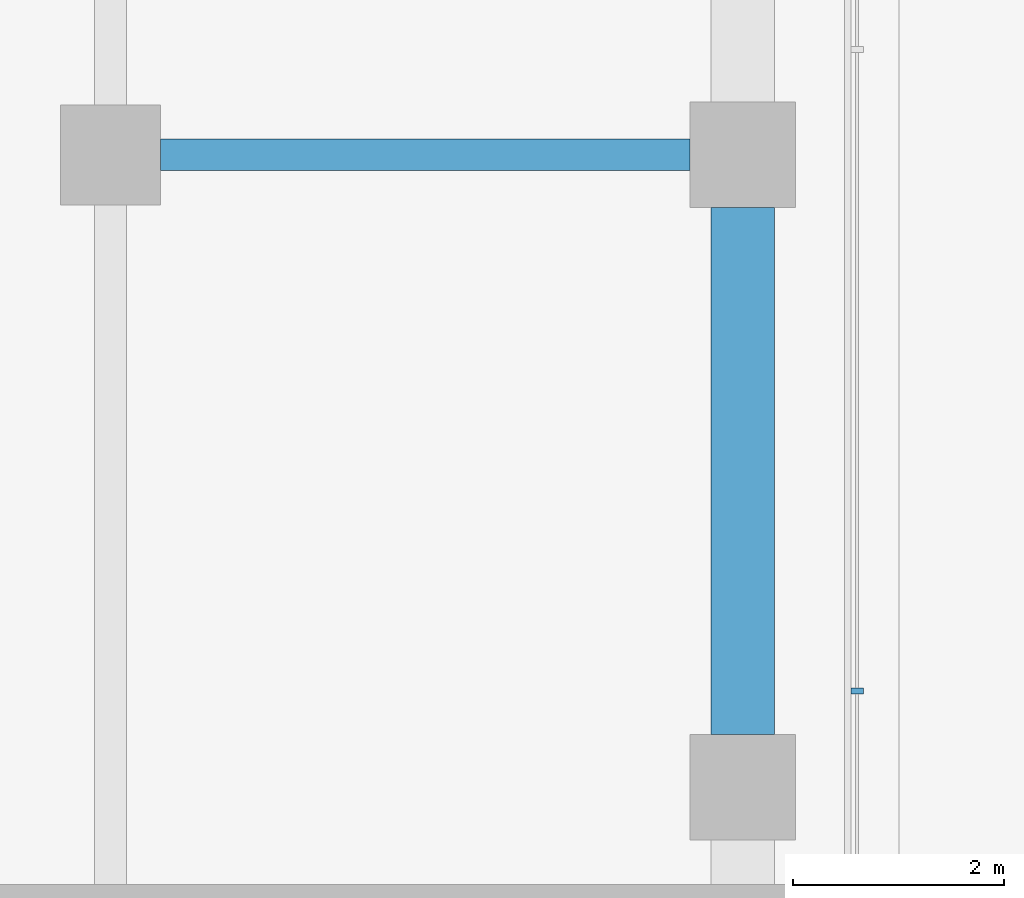
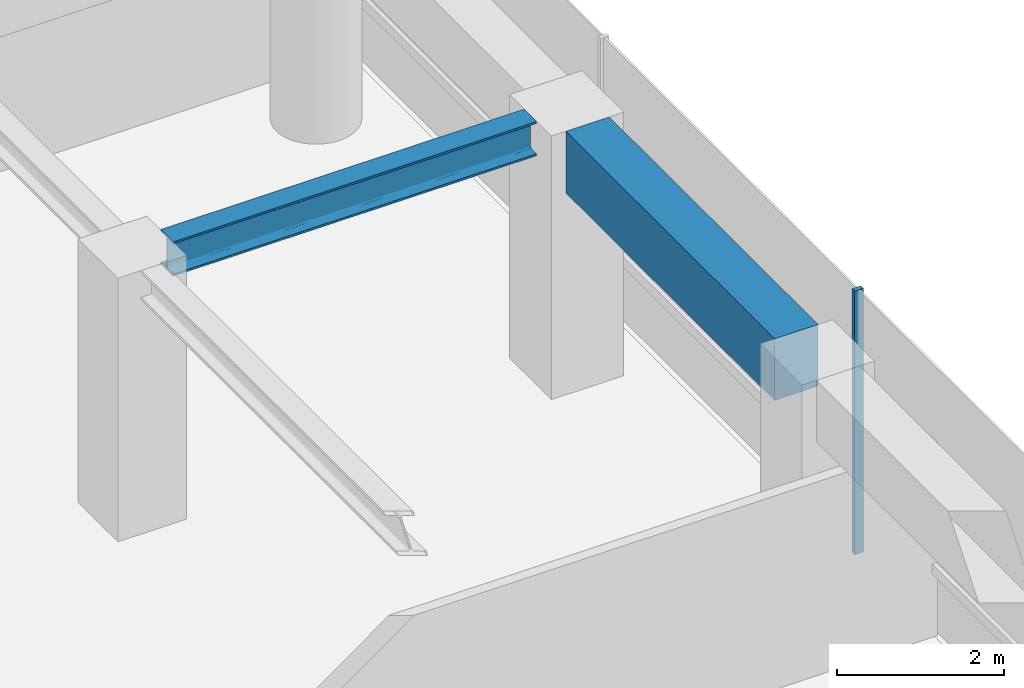
# One storey, part 17 of 28: 2 beams, 1 member, 1 element without a shape of its own.
"""IFC4 building model written with IfcOpenShell, lengths in metres."""

import ifcopenshell
import ifcopenshell.guid

model = None  # the IFC model being written
_history = None  # IfcOwnerHistory: only IFC2X3 demands one
_inside = {}  # id of a spatial element -> (the spatial element, [elements in it])
_under = {}  # id of a project, library or spatial element -> (it, [spatial elements below it])
_declared = {}  # id of a project -> (the project, [libraries it declares])
_typed = {}  # id of a type object -> (the type object, [elements of that type])
_made_of = {}  # id of a material, layer set ... -> (it, [elements and type objects made of it])


def new_model(schema):
    """Start an empty IFC model of exactly this schema.

    Asked for "IFC4X3", IfcOpenShell would pick the latest addendum, in which some entities
    have other attributes; the version numbers below select the first issue.
    IFC2X3 requires an IfcOwnerHistory on every rooted entity: one is made here for all.
    """
    global model, _history
    if schema == "IFC4X3":
        model = ifcopenshell.file(schema_version=(4, 3, 0, 0))
    else:
        model = ifcopenshell.file(schema=schema)
    _inside.clear()
    _under.clear()
    _declared.clear()
    _typed.clear()
    _made_of.clear()
    _history = None
    if model.schema == "IFC2X3":
        org = make("IfcOrganization", Name="unknown")
        user = make(
            "IfcPersonAndOrganization",
            ThePerson=make("IfcPerson", FamilyName="unknown"),
            TheOrganization=org,
        )
        app = make(
            "IfcApplication",
            ApplicationDeveloper=org,
            Version="unknown",
            ApplicationFullName="unknown",
            ApplicationIdentifier="unknown",
        )
        _history = make(
            "IfcOwnerHistory",
            OwningUser=user,
            OwningApplication=app,
            ChangeAction="ADDED",
            CreationDate=0,
        )
    return model


def make(cls, **values):
    """One entity of the class cls with the attributes given. An attribute that is None is left unset."""
    return model.create_entity(
        cls, **{name: value for name, value in values.items() if value is not None}
    )


def rooted(cls, **values):
    """An entity with a GlobalId (a new one), such as an element, a storey or a relation."""
    return make(cls, GlobalId=ifcopenshell.guid.new(), OwnerHistory=_history, **values)


def si_unit(unit_type, name, prefix=None):
    """IfcSIUnit, for example si_unit("LENGTHUNIT", "METRE", prefix="MILLI")."""
    return make("IfcSIUnit", UnitType=unit_type, Prefix=prefix, Name=name)


def assignment(units):
    """IfcUnitAssignment: the units of a project."""
    return None if units is None else make("IfcUnitAssignment", Units=units)


def point(xyz):
    """IfcCartesianPoint."""
    return None if xyz is None else make("IfcCartesianPoint", Coordinates=xyz)


def direction(xyz):
    """IfcDirection."""
    return None if xyz is None else make("IfcDirection", DirectionRatios=xyz)


def frame(location, z_axis=None, x_axis=None):
    """IfcAxis2Placement3D, a coordinate frame: its origin and axes. An axis left out is left unset."""
    return make(
        "IfcAxis2Placement3D",
        Location=point(location),
        Axis=direction(z_axis),
        RefDirection=direction(x_axis),
    )


def frame_2d(location, x_axis=None):
    """IfcAxis2Placement2D, a coordinate frame in the plane: its origin and x axis."""
    return make(
        "IfcAxis2Placement2D", Location=point(location), RefDirection=direction(x_axis)
    )


def origin():
    """The frame at (0, 0, 0) with its axes left unset."""
    return frame((0.0, 0.0, 0.0))


def origin_2d():
    """The frame at (0, 0) in the plane with its x axis left unset."""
    return frame_2d((0.0, 0.0))


def place(relative_to, where):
    """IfcLocalPlacement: puts the frame where relative to a parent placement (None: the world)."""
    return make(
        "IfcLocalPlacement", PlacementRelTo=relative_to, RelativePlacement=where
    )


def context(
    kind, dimensions, precision=None, world=None, true_north=None, identifier=None
):
    """IfcGeometricRepresentationContext, for example the 3D "Model" context."""
    return make(
        "IfcGeometricRepresentationContext",
        ContextIdentifier=identifier,
        ContextType=kind,
        CoordinateSpaceDimension=dimensions,
        Precision=precision,
        WorldCoordinateSystem=world,
        TrueNorth=true_north,
    )


def subcontext(parent, identifier, kind, view, scale=None):
    """IfcGeometricRepresentationSubContext, for example "Body" below "Model"."""
    return make(
        "IfcGeometricRepresentationSubContext",
        ContextIdentifier=identifier,
        ContextType=kind,
        ParentContext=parent,
        TargetScale=scale,
        TargetView=view,
    )


def project(units=None, contexts=None):
    """IfcProject with its units and contexts."""
    return rooted(
        "IfcProject",
        Name="project",
        RepresentationContexts=contexts,
        UnitsInContext=assignment(units),
    )


def spatial(cls, under=None, at=None, **own):
    """A site, building, storey or space (cls), placed at a placement, below another one or the project."""
    s = rooted(cls, ObjectPlacement=at, **own)
    if under is not None:
        _under.setdefault(under.id(), (under, []))[1].append(s)
    return s


def profile(cls, at=None, kind="AREA", **sizes):
    """A parametric profile (cls). Its sizes go by their IFC names, for example OverallWidth=200.0."""
    return make(cls, ProfileType=kind, Position=at, **sizes)


def rectangle(**sizes):
    """IfcRectangleProfileDef."""
    return profile("IfcRectangleProfileDef", **sizes)


def i_section(**sizes):
    """IfcIShapeProfileDef."""
    return profile("IfcIShapeProfileDef", **sizes)


def extrude(swept, where, along, depth):
    """IfcExtrudedAreaSolid: the profile swept, set in the frame where, extruded along a direction by depth."""
    return make(
        "IfcExtrudedAreaSolid",
        SweptArea=swept,
        Position=where,
        ExtrudedDirection=direction(along),
        Depth=depth,
    )


def shape(context_of_items, identifier, shape_type, items):
    """IfcShapeRepresentation: the items that make up one representation, for example the "Body"."""
    return make(
        "IfcShapeRepresentation",
        ContextOfItems=context_of_items,
        RepresentationIdentifier=identifier,
        RepresentationType=shape_type,
        Items=items,
    )


def material(Name=None, Category=None):
    """IfcMaterial."""
    return make("IfcMaterial", Name=Name, Category=Category)


def layer(
    of_material, thickness, ventilated=None, Name=None, Category=None, Priority=None
):
    """IfcMaterialLayer: one layer of a wall or slab, of a material (None: an air gap)."""
    return make(
        "IfcMaterialLayer",
        Material=of_material,
        LayerThickness=thickness,
        IsVentilated=ventilated,
        Name=Name,
        Category=Category,
        Priority=Priority,
    )


def layer_set(layers, Name=None):
    """IfcMaterialLayerSet."""
    return make("IfcMaterialLayerSet", MaterialLayers=layers, LayerSetName=Name)


def material_profile(
    of_material, cross_section, Name=None, Category=None, Priority=None
):
    """IfcMaterialProfile: a cross section and its material."""
    return make(
        "IfcMaterialProfile",
        Name=Name,
        Material=of_material,
        Profile=cross_section,
        Priority=Priority,
        Category=Category,
    )


def profile_set(profiles, Name=None, composite=None):
    """IfcMaterialProfileSet."""
    return make(
        "IfcMaterialProfileSet",
        Name=Name,
        MaterialProfiles=profiles,
        CompositeProfile=composite,
    )


def made_of(thing, what):
    """Note that an element or type object is made of a material, layer set ...; save() writes the relation."""
    if what is not None:
        _made_of.setdefault(what.id(), (what, []))[1].append(thing)
    return thing


def type_object(cls, material=None, **own):
    """A type object (cls), such as IfcWallType, which elements share."""
    return made_of(rooted(cls, **own), material)


def element(
    cls,
    number,
    at=None,
    inside=None,
    cuts=None,
    type_object=None,
    material=None,
    context=None,
    identifier="Body",
    shape_type=None,
    held_by="IfcProductDefinitionShape",
    body=None,
    shapes=None,
    **own,
):
    """One element of the class cls, such as IfcWall. Its Tag is "e" and its number.

    at: its placement. inside: the storey or other place that contains it. cuts: it is an
    opening in that element (IfcRelVoidsElement). A single representation is given by context,
    identifier, shape_type and body (its items); several are given by shapes. held_by: the class
    of the entity that holds the representations. save() writes the other relations.
    """
    e = rooted(cls, Tag="e%d" % number, ObjectPlacement=at, **own)
    if body is not None:
        shapes = [shape(context, identifier, shape_type, body)]
    if shapes is not None:
        e.Representation = make(held_by, Representations=shapes)
    if inside is not None:
        _inside.setdefault(inside.id(), (inside, []))[1].append(e)
    if cuts is not None:
        rooted(
            "IfcRelVoidsElement", RelatingBuildingElement=cuts, RelatedOpeningElement=e
        )
    if type_object is not None:
        _typed.setdefault(type_object.id(), (type_object, []))[1].append(e)
    return made_of(e, material)


def aggregate(whole, parts):
    """IfcRelAggregates: a whole, such as a stair, and the parts it consists of."""
    return rooted("IfcRelAggregates", RelatingObject=whole, RelatedObjects=parts)


def save(model, path):
    """Write the relations noted so far, then the file.

    IfcRelAggregates (storeys below a building ...), IfcRelContainedInSpatialStructure (elements
    in a storey), IfcRelDefinesByType, IfcRelAssociatesMaterial and IfcRelDeclares: one each for
    every whole, place, type object, material and project.
    """
    for whole, parts in _under.values():
        aggregate(whole, parts)
    for where, things in _inside.values():
        rooted(
            "IfcRelContainedInSpatialStructure",
            RelatedElements=things,
            RelatingStructure=where,
        )
    for kind, things in _typed.values():
        rooted("IfcRelDefinesByType", RelatedObjects=things, RelatingType=kind)
    for what, things in _made_of.values():
        rooted("IfcRelAssociatesMaterial", RelatedObjects=things, RelatingMaterial=what)
    for by, libraries in _declared.values():
        rooted("IfcRelDeclares", RelatingContext=by, RelatedDefinitions=libraries)
    model.write(path)


model = new_model("IFC4")

# Units and contexts
model_context = context("Model", 3, precision=1e-05, world=origin(), true_north=direction((0.0, 1.0)))
body_context = subcontext(model_context, "Body", "Model", "MODEL_VIEW")
ifc_project = project(units=[si_unit("LENGTHUNIT", "METRE"), si_unit("AREAUNIT", "SQUARE_METRE"), si_unit("VOLUMEUNIT", "CUBIC_METRE"), si_unit("PLANEANGLEUNIT", "RADIAN"), si_unit("MASSUNIT", "GRAM", prefix="KILO")], contexts=[model_context])

# Site, building, storey
site_placement = place(None, origin())
site = spatial("IfcSite", under=ifc_project, at=site_placement, CompositionType="ELEMENT")
building_placement = place(site_placement, origin())
building = spatial("IfcBuilding", under=site, at=building_placement, Name="Welwitschia Terrace Campus", CompositionType="ELEMENT")
storey_placement = place(building_placement, frame((0.0, 0.0, 87.800048828125)))
storey = spatial("IfcBuildingStorey", under=building, at=storey_placement, Name="L19", CompositionType="ELEMENT", Elevation=87.800048828125)

# Curtain wall, member
ifc_material_1 = material(Name="Bronze anodised aluminium", Category="aluminium")
ifc_layer = layer(ifc_material_1, 0.1201171875)
ifc_layer_set = layer_set([ifc_layer], Name="Bronze anodised aluminium")
curtain_wall_type = type_object("IfcCurtainWallType", Name="Curtain wall CW2 tower 6000", PredefinedType="NOTDEFINED", material=ifc_layer_set)
curtain_wall_placement = place(storey_placement, origin())
curtain_wall = element("IfcCurtainWall", 1, at=curtain_wall_placement, inside=storey, type_object=curtain_wall_type, Name="CW L19.11.0", PredefinedType="NOTDEFINED")
ifc_material_2 = material(Name="Bronze anodised aluminium", Category="aluminium")
ifc_material_profile_1 = material_profile(ifc_material_2, rectangle(XDim=0.1201171875, YDim=0.06005859375, at=origin_2d()))
ifc_profile_set_1 = profile_set([ifc_material_profile_1], Name="Bronze anodised aluminium")
member_type = type_object("IfcMemberType", Name="Mullion 60x120", PredefinedType="MULLION", material=ifc_profile_set_1)
member_placement = place(storey_placement, frame((25.0859375, 58.912353515625, 0.0), z_axis=(0.0, 0.0, 1.0), x_axis=(-1.0, 0.0, 0.0)))
member = element("IfcMember", 2, at=member_placement, type_object=member_type, Name="Mullion L19.11.0.4", PredefinedType="MULLION", context=body_context, shape_type="SweptSolid", body=[
    extrude(rectangle(XDim=0.1201171875, YDim=0.06005859375, at=origin_2d()), origin(), (0.0, 0.0, 1.0), 3.849853515625),
])
aggregate(curtain_wall, [member])

# Beams
ifc_material_3 = material(Name="Steel S355", Category="steel")
ifc_material_profile_2 = material_profile(ifc_material_3, i_section(OverallWidth=0.300048828125, OverallDepth=0.5, WebThickness=0.014404296875, FlangeThickness=0.028076171875, FilletRadius=0.027099609375, at=origin_2d()))
ifc_profile_set_2 = profile_set([ifc_material_profile_2], Name="Steel S355")
beam_type_1 = type_object("IfcBeamType", Name="Primary beam HE 500 B", PredefinedType="BEAM", material=ifc_profile_set_2)
beam_1_placement = place(storey_placement, frame((23.49951171875, 64.0, 3.599853515625), z_axis=(-1.0, 0.0, 0.0), x_axis=(0.0, -1.0, 0.0)))
element("IfcBeam", 3, at=beam_1_placement, inside=storey, type_object=beam_type_1, Name="Primary beam PB3", PredefinedType="BEAM", context=body_context, shape_type="SweptSolid", body=[
    extrude(i_section(OverallWidth=0.300048828125, OverallDepth=0.5, WebThickness=0.014404296875, FlangeThickness=0.028076171875, FilletRadius=0.027099609375, at=origin_2d()), origin(), (0.0, 0.0, 1.0), 5.02392578125),
])
ifc_material_4 = material(Name="Concrete C60/75", Category="concrete")
ifc_material_profile_3 = material_profile(ifc_material_4, rectangle(XDim=0.60009765625, YDim=0.89990234375, at=origin_2d()))
ifc_profile_set_3 = profile_set([ifc_material_profile_3], Name="Concrete C60/75")
beam_type_2 = type_object("IfcBeamType", Name="Ring spandrel 600x900", PredefinedType="SPANDREL", material=ifc_profile_set_3)
beam_2_placement = place(storey_placement, frame((24.0, 58.50048828125, 3.39990234375), z_axis=(0.0, 1.0, 0.0), x_axis=(-1.0, 0.0, 0.0)))
element("IfcBeam", 4, at=beam_2_placement, inside=storey, type_object=beam_type_2, Name="Spandrel SP2", PredefinedType="SPANDREL", context=body_context, shape_type="SweptSolid", body=[
    extrude(rectangle(XDim=0.60009765625, YDim=0.89990234375, at=origin_2d()), origin(), (0.0, 0.0, 1.0), 4.9990234375),
])

save(model, "model.ifc")
